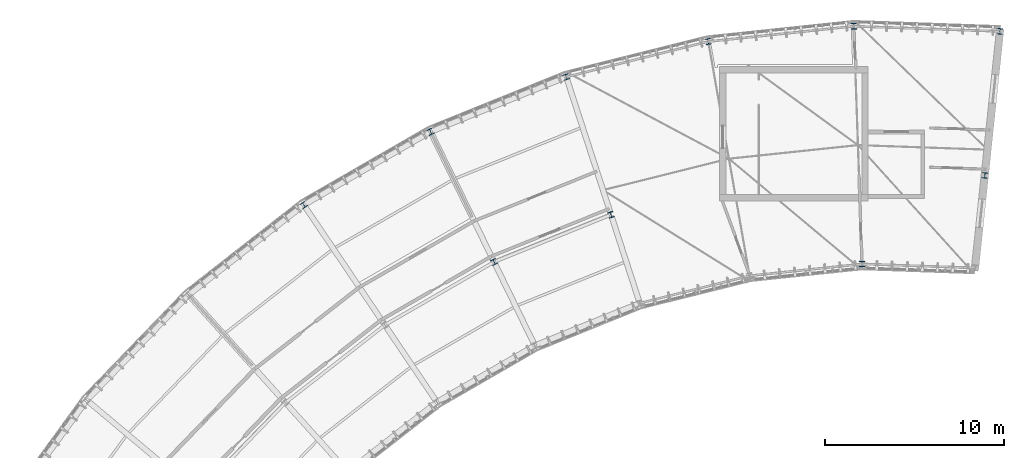
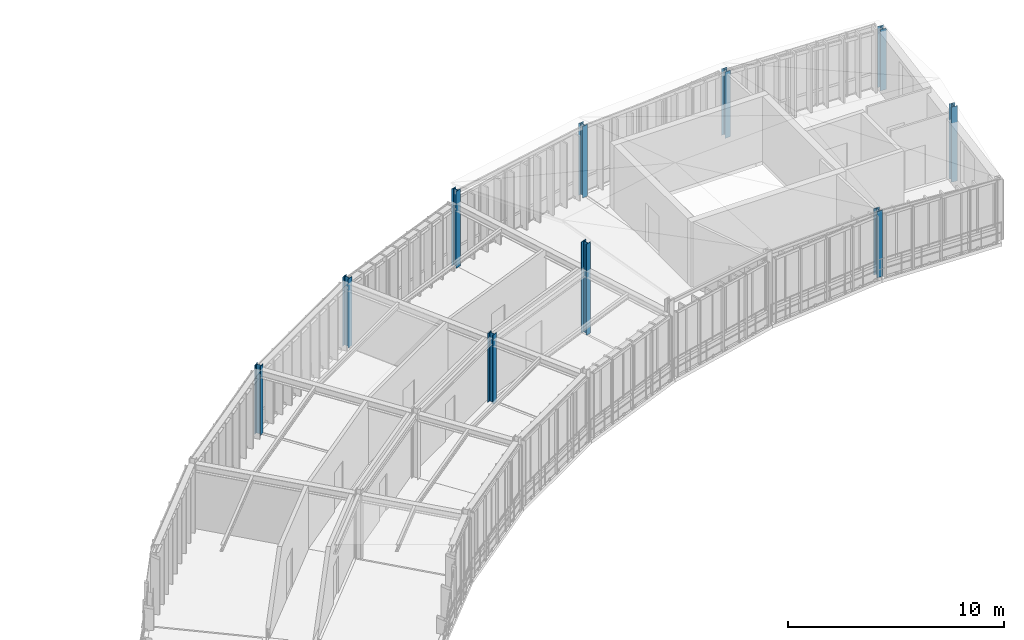
# One storey, part 6 of 42: 10 columns.
"""IFC4 building model written with IfcOpenShell, lengths in metres."""

from ifc_helpers import new_model, si_unit, direction, frame, origin, origin_2d, place, context, subcontext, project, spatial, i_section, extrude, material, material_profile, profile_set, type_object, element, save


model = new_model("IFC4")

# Units and contexts
model_context = context("Model", 3, precision=1e-05, world=origin(), true_north=direction((0.0, 1.0)))
body_context = subcontext(model_context, "Body", "Model", "MODEL_VIEW")
ifc_project = project(units=[si_unit("LENGTHUNIT", "METRE"), si_unit("AREAUNIT", "SQUARE_METRE"), si_unit("VOLUMEUNIT", "CUBIC_METRE"), si_unit("PLANEANGLEUNIT", "RADIAN"), si_unit("MASSUNIT", "GRAM", prefix="KILO"), si_unit("THERMODYNAMICTEMPERATUREUNIT", "KELVIN"), si_unit("POWERUNIT", "WATT")], contexts=[model_context])

# Site, building, storey
site_placement = place(None, origin())
site = spatial("IfcSite", under=ifc_project, at=site_placement, CompositionType="ELEMENT")
building_placement = place(site_placement, origin())
building = spatial("IfcBuilding", under=site, at=building_placement, Name="Solvatero Civic Police Headquarters", CompositionType="ELEMENT")
storey_placement = place(building_placement, frame((0.0, 0.0, 21.60009765625)))
storey = spatial("IfcBuildingStorey", under=building, at=storey_placement, Name="L05", CompositionType="ELEMENT", Elevation=21.60009765625)

# Columns
ifc_material = material(Name="Steel S355", Category="steel")
ifc_material_profile_1 = material_profile(ifc_material, i_section(OverallWidth=0.300048828125, OverallDepth=0.300048828125, WebThickness=0.010986328125, FlangeThickness=0.01904296875, FilletRadius=0.027099609375, at=origin_2d()), Name="HEB 300")
ifc_profile_set_1 = profile_set([ifc_material_profile_1], Name="Steel S355")
column_type_1 = type_object("IfcColumnType", Name="COL-ST-HEB300", PredefinedType="COLUMN", material=ifc_profile_set_1)
column_1_placement = place(storey_placement, frame((99.283935546875, 76.273193359375, 0.0), z_axis=(0.0, 0.0, 1.0), x_axis=(0.994521895368, -0.104528463268, 0.0)))
element("IfcColumn", 1, at=column_1_placement, inside=storey, type_object=column_type_1, Name="Column ARC-S00-MID L05", PredefinedType="COLUMN", context=body_context, shape_type="SweptSolid", body=[
    extrude(i_section(OverallWidth=0.300048828125, OverallDepth=0.300048828125, WebThickness=0.010986328125, FlangeThickness=0.01904296875, FilletRadius=0.027099609375, at=origin_2d()), origin(), (0.0, 0.0, 1.0), 4.256103515625),
])
column_2_placement = place(storey_placement, frame((92.417236328125, 71.322509765625, 0.0), z_axis=(0.0, 0.0, 1.0), x_axis=(0.999390827019, 0.034899496703, 0.0)))
element("IfcColumn", 2, at=column_2_placement, inside=storey, type_object=column_type_1, Name="Column ARC-S01-IN L05", PredefinedType="COLUMN", context=body_context, shape_type="SweptSolid", body=[
    extrude(i_section(OverallWidth=0.300048828125, OverallDepth=0.300048828125, WebThickness=0.010986328125, FlangeThickness=0.01904296875, FilletRadius=0.027099609375, at=origin_2d()), origin(), (0.0, 0.0, 1.0), 3.75390625),
])
column_3_placement = place(storey_placement, frame((75.876220703125, 81.779541015625, 0.0), z_axis=(0.0, 0.0, 1.0), x_axis=(0.951056516295, 0.309016994375, 0.0)))
element("IfcColumn", 3, at=column_3_placement, inside=storey, type_object=column_type_1, Name="Column ARC-S03-OUT L05", PredefinedType="COLUMN", context=body_context, shape_type="SweptSolid", body=[
    extrude(i_section(OverallWidth=0.300048828125, OverallDepth=0.300048828125, WebThickness=0.010986328125, FlangeThickness=0.01904296875, FilletRadius=0.027099609375, at=origin_2d()), origin(), (0.0, 0.0, 1.0), 4.35400390625),
])
for number, where, z_axis, x_axis, name in (
    (4, (71.84033203125, 71.43408203125, 0.0), (0.0, 0.0, 1.0), (0.898794046299, 0.438371146789, 0.0), "Column ARC-S04-MID L05"),
    (5, (61.203369140625, 74.623046875, 0.0), (0.0, 0.0, 1.0), (0.829037572555, 0.559192903471, 0.0), "Column ARC-S05-OUT L05"),
):
    element("IfcColumn", number, at=place(storey_placement, frame(where, z_axis=z_axis, x_axis=x_axis)), inside=storey, type_object=column_type_1, Name=name, PredefinedType="COLUMN", context=body_context, shape_type="SweptSolid", body=[
        extrude(i_section(OverallWidth=0.300048828125, OverallDepth=0.300048828125, WebThickness=0.010986328125, FlangeThickness=0.01904296875, FilletRadius=0.027099609375, at=origin_2d()), origin(), (0.0, 0.0, 1.0), 3.89990234375),
    ])
ifc_material_profile_2 = material_profile(ifc_material, i_section(OverallWidth=0.300048828125, OverallDepth=0.320068359375, WebThickness=0.011474609375, FlangeThickness=0.0205078125, FilletRadius=0.027099609375, at=origin_2d()), Name="HEB 320")
ifc_profile_set_2 = profile_set([ifc_material_profile_2], Name="Steel S355")
column_type_2 = type_object("IfcColumnType", Name="COL-ST-HEB320", PredefinedType="COLUMN", material=ifc_profile_set_2)
column_4_placement = place(storey_placement, frame((100.130615234375, 84.32861328125, 0.0), z_axis=(0.0, 0.0, 1.0), x_axis=(0.994521895368, -0.104528463268, 0.0)))
element("IfcColumn", 6, at=column_4_placement, inside=storey, type_object=column_type_2, Name="Column ARC-S00-OUT L05", PredefinedType="COLUMN", context=body_context, shape_type="SweptSolid", body=[
    extrude(i_section(OverallWidth=0.300048828125, OverallDepth=0.320068359375, WebThickness=0.011474609375, FlangeThickness=0.0205078125, FilletRadius=0.027099609375, at=origin_2d()), origin(), (0.0, 0.0, 1.0), 3.453857421875),
])
column_5_placement = place(storey_placement, frame((91.953125, 84.6142578125, 0.0), z_axis=(0.0, 0.0, 1.0), x_axis=(0.999390827019, 0.034899496703, 0.0)))
element("IfcColumn", 7, at=column_5_placement, inside=storey, type_object=column_type_2, Name="Column ARC-S01-OUT L05", PredefinedType="COLUMN", context=body_context, shape_type="SweptSolid", body=[
    extrude(i_section(OverallWidth=0.300048828125, OverallDepth=0.320068359375, WebThickness=0.011474609375, FlangeThickness=0.0205078125, FilletRadius=0.027099609375, at=origin_2d()), origin(), (0.0, 0.0, 1.0), 3.75390625),
])
column_6_placement = place(storey_placement, frame((83.8154296875, 83.759033203125, 0.0), z_axis=(0.0, 0.0, 1.0), x_axis=(0.984807753012, 0.173648177667, 0.0)))
element("IfcColumn", 8, at=column_6_placement, inside=storey, type_object=column_type_2, Name="Column ARC-S02-OUT L05", PredefinedType="COLUMN", context=body_context, shape_type="SweptSolid", body=[
    extrude(i_section(OverallWidth=0.300048828125, OverallDepth=0.320068359375, WebThickness=0.011474609375, FlangeThickness=0.0205078125, FilletRadius=0.027099609375, at=origin_2d()), origin(), (0.0, 0.0, 1.0), 4.053955078125),
])
column_7_placement = place(storey_placement, frame((78.379150390625, 74.075927734375, 0.0), z_axis=(0.0, 0.0, 1.0), x_axis=(0.951056516295, 0.309016994375, 0.0)))
element("IfcColumn", 9, at=column_7_placement, inside=storey, type_object=column_type_2, Name="Column ARC-S03-MID L05", PredefinedType="COLUMN", context=body_context, shape_type="SweptSolid", body=[
    extrude(i_section(OverallWidth=0.300048828125, OverallDepth=0.320068359375, WebThickness=0.011474609375, FlangeThickness=0.0205078125, FilletRadius=0.027099609375, at=origin_2d()), origin(), (0.0, 0.0, 1.0), 5.15625),
])
column_8_placement = place(storey_placement, frame((68.28955078125, 78.71435546875, 0.0), z_axis=(0.0, 0.0, 1.0), x_axis=(0.898794046299, 0.438371146789, 0.0)))
element("IfcColumn", 10, at=column_8_placement, inside=storey, type_object=column_type_2, Name="Column ARC-S04-OUT L05", PredefinedType="COLUMN", context=body_context, shape_type="SweptSolid", body=[
    extrude(i_section(OverallWidth=0.300048828125, OverallDepth=0.320068359375, WebThickness=0.011474609375, FlangeThickness=0.0205078125, FilletRadius=0.027099609375, at=origin_2d()), origin(), (0.0, 0.0, 1.0), 3.89990234375),
])

save(model, "model.ifc")
